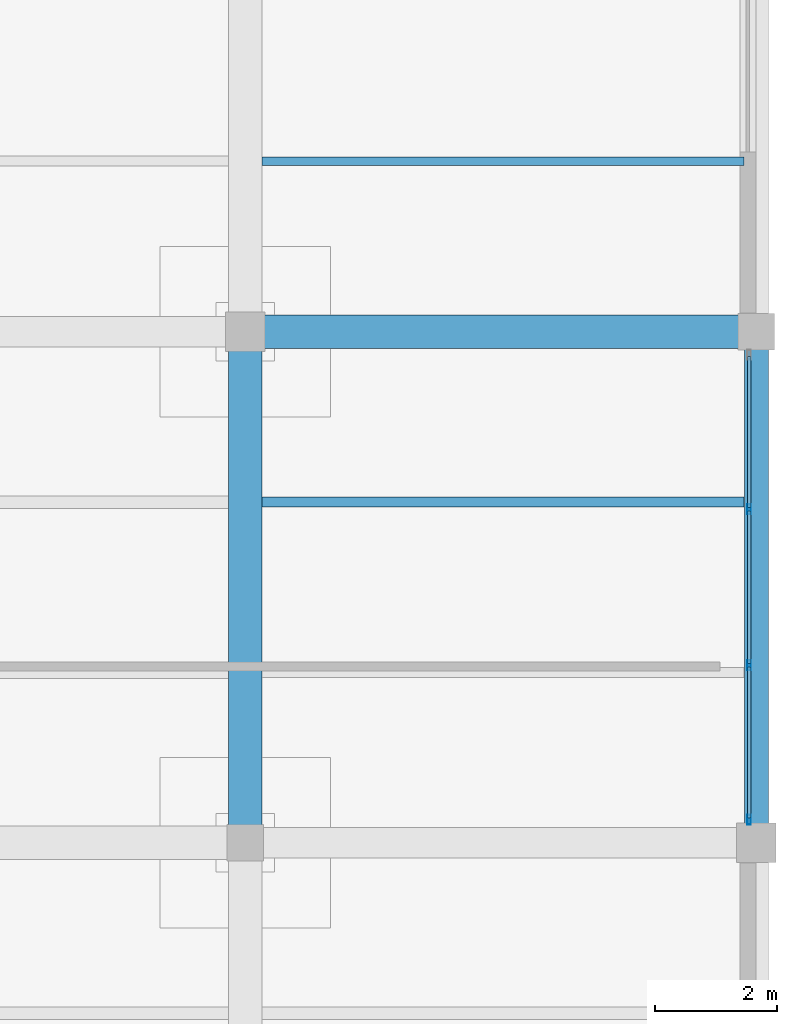
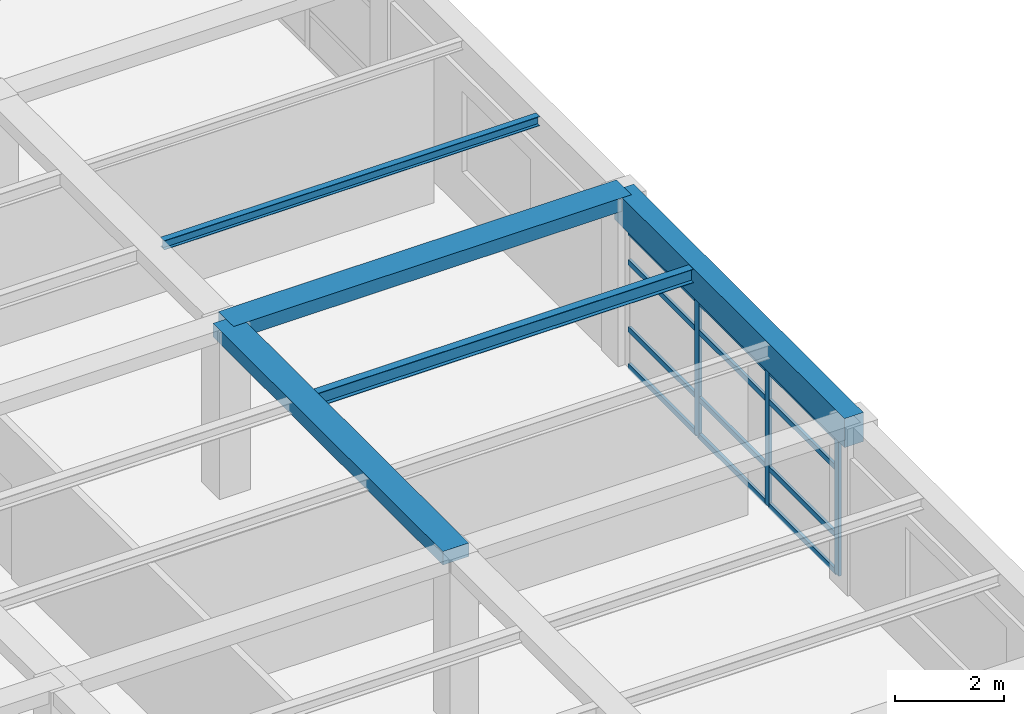
# One storey, part 14 of 26: 15 members, 5 beams, 1 element without a shape of its own.
"""IFC4 building model written with IfcOpenShell, lengths in metres."""

from ifc_helpers import new_model, si_unit, direction, frame, origin, origin_2d, place, context, subcontext, project, spatial, rectangle, hollow_rectangle, i_section, extrude, material, material_profile, profile_set, type_object, element, aggregate, save


model = new_model("IFC4")

# Units and contexts
model_context = context("Model", 3, precision=1e-05, world=origin(), true_north=direction((0.0, 1.0)))
body_context = subcontext(model_context, "Body", "Model", "MODEL_VIEW")
ifc_project = project(units=[si_unit("LENGTHUNIT", "METRE"), si_unit("AREAUNIT", "SQUARE_METRE"), si_unit("VOLUMEUNIT", "CUBIC_METRE"), si_unit("PLANEANGLEUNIT", "RADIAN"), si_unit("MASSUNIT", "GRAM", prefix="KILO")], contexts=[model_context])

# Site, building, storey
site_placement = place(None, origin())
site = spatial("IfcSite", under=ifc_project, at=site_placement, CompositionType="ELEMENT")
building_placement = place(site_placement, origin())
building = spatial("IfcBuilding", under=site, at=building_placement, Name="Almacenes y Pasaje Nevantli", CompositionType="ELEMENT")
storey_placement = place(building_placement, frame((0.0, 0.0, 54.699951171875)))
storey = spatial("IfcBuildingStorey", under=building, at=storey_placement, Name="L13", CompositionType="ELEMENT", Elevation=54.699951171875)

# Beams
ifc_material_1 = material(Name="Concrete C35/45", Category="concrete")
ifc_material_profile_1 = material_profile(ifc_material_1, rectangle(XDim=0.39990234375, YDim=0.64990234375, at=origin_2d()), Name="RC-BM-400x650")
ifc_profile_set_1 = profile_set([ifc_material_profile_1], Name="Concrete C35/45")
beam_type_1 = type_object("IfcBeamType", Name="BM-RC-400x650", PredefinedType="SPANDREL", material=ifc_profile_set_1)
beam_1_placement = place(storey_placement, frame((159.60009765625, 75.60009765625, 3.39501953125), z_axis=(0.0, 1.0, 0.0), x_axis=(-1.0, 0.0, 0.0)))
element("IfcBeam", 1, at=beam_1_placement, inside=storey, type_object=beam_type_1, Name="L13 North-South Reinforced Concrete Beam #3982", PredefinedType="SPANDREL", context=body_context, shape_type="SweptSolid", body=[
    extrude(rectangle(XDim=0.39990234375, YDim=0.64990234375, at=origin_2d()), origin(), (0.0, 0.0, 1.0), 8.39990234375),
])
ifc_material_2 = material(Name="Concrete C35/45", Category="concrete")
ifc_material_profile_2 = material_profile(ifc_material_2, rectangle(XDim=0.550048828125, YDim=0.300048828125, at=origin_2d()), Name="RC-BM-550x300")
ifc_profile_set_2 = profile_set([ifc_material_profile_2], Name="Concrete C35/45")
beam_type_2 = type_object("IfcBeamType", Name="BM-RC-550x300", PredefinedType="BEAM", material=ifc_profile_set_2)
beam_2_placement = place(storey_placement, frame((151.199951171875, 84.0, 3.570068359375), z_axis=(1.0, 0.0, 0.0), x_axis=(0.0, 1.0, 0.0)))
element("IfcBeam", 2, at=beam_2_placement, inside=storey, type_object=beam_type_2, Name="L13 East-West Reinforced Concrete Beam #3952", PredefinedType="BEAM", context=body_context, shape_type="SweptSolid", body=[
    extrude(rectangle(XDim=0.550048828125, YDim=0.300048828125, at=origin_2d()), origin(), (0.0, 0.0, 1.0), 8.400146484375),
])
beam_3_placement = place(storey_placement, frame((151.199951171875, 75.60009765625, 3.570068359375), z_axis=(0.0, 1.0, 0.0), x_axis=(-1.0, 0.0, 0.0)))
element("IfcBeam", 3, at=beam_3_placement, inside=storey, type_object=beam_type_2, Name="L13 North-South Reinforced Concrete Beam #3978", PredefinedType="BEAM", context=body_context, shape_type="SweptSolid", body=[
    extrude(rectangle(XDim=0.550048828125, YDim=0.300048828125, at=origin_2d()), origin(), (0.0, 0.0, 1.0), 8.39990234375),
])
ifc_material_3 = material(Name="Steel ASTM A992", Category="steel")
ifc_material_profile_3 = material_profile(ifc_material_3, i_section(OverallWidth=0.134033203125, OverallDepth=0.2099609375, WebThickness=0.00634765625, FlangeThickness=0.01025390625, at=origin_2d()), Name="IR 203x31.3")
ifc_profile_set_3 = profile_set([ifc_material_profile_3], Name="Steel ASTM A992")
beam_type_3 = type_object("IfcBeamType", Name="BM-STL-IR-203x31p3", PredefinedType="JOIST", material=ifc_profile_set_3)
beam_4_placement = place(storey_placement, frame((151.47509765625, 86.800048828125, 3.60693359375), z_axis=(1.0, 0.0, 0.0), x_axis=(0.0, 1.0, 0.0)))
element("IfcBeam", 4, at=beam_4_placement, inside=storey, type_object=beam_type_3, Name="L13 Secondary Steel Floor Joist #1589", PredefinedType="JOIST", context=body_context, shape_type="SweptSolid", body=[
    extrude(i_section(OverallWidth=0.134033203125, OverallDepth=0.2099609375, WebThickness=0.00634765625, FlangeThickness=0.01025390625, at=origin_2d()), origin(), (0.0, 0.0, 1.0), 7.9248046875),
])
ifc_material_4 = material(Name="Steel ASTM A992", Category="steel")
ifc_material_profile_4 = material_profile(ifc_material_4, i_section(OverallWidth=0.1650390625, OverallDepth=0.306884765625, WebThickness=0.006591796875, FlangeThickness=0.01025390625, at=origin_2d()), Name="IR 305x44.6")
ifc_profile_set_4 = profile_set([ifc_material_profile_4], Name="Steel ASTM A992")
beam_type_4 = type_object("IfcBeamType", Name="BM-STL-IR-305x44p6", PredefinedType="JOIST", material=ifc_profile_set_4)
beam_5_placement = place(storey_placement, frame((151.47509765625, 81.199951171875, 3.55859375), z_axis=(1.0, 0.0, 0.0), x_axis=(0.0, 1.0, 0.0)))
element("IfcBeam", 5, at=beam_5_placement, inside=storey, type_object=beam_type_4, Name="L13 Secondary Steel Floor Joist #1588", PredefinedType="JOIST", context=body_context, shape_type="SweptSolid", body=[
    extrude(i_section(OverallWidth=0.1650390625, OverallDepth=0.306884765625, WebThickness=0.006591796875, FlangeThickness=0.01025390625, at=origin_2d()), origin(), (0.0, 0.0, 1.0), 7.9248046875),
])

# Curtain wall, members
ifc_material_5 = material(Name="Thermally Broken Aluminium and Low-E Glass", Category="aluminium")
curtain_wall_type = type_object("IfcCurtainWallType", Name="CW-UNIT-TOWER", PredefinedType="USERDEFINED", material=ifc_material_5)
curtain_wall_placement = place(storey_placement, origin())
curtain_wall = element("IfcCurtainWall", 6, at=curtain_wall_placement, inside=storey, type_object=curtain_wall_type, Name="L13 Tower East Curtain Wall Bay 10", ObjectType="UNITIZED CURTAIN WALL", PredefinedType="USERDEFINED")
ifc_material_6 = material(Name="Thermally Broken Anodized Aluminium", Category="aluminium")
ifc_material_profile_5 = material_profile(ifc_material_6, hollow_rectangle(XDim=0.06005859375, YDim=0.159912109375, WallThickness=0.00390625, at=origin_2d()), Name="ALU-MUL-60x160")
ifc_profile_set_5 = profile_set([ifc_material_profile_5], Name="Thermally Broken Anodized Aluminium")
member_type_1 = type_object("IfcMemberType", Name="CW-MUL-180", PredefinedType="MULLION", material=ifc_profile_set_5)
member_1_placement = place(storey_placement, frame((159.47998046875, 75.97998046875, 0.0), z_axis=(0.0, 0.0, 1.0), x_axis=(-1.0, 0.0, 0.0)))
member_1 = element("IfcMember", 7, at=member_1_placement, type_object=member_type_1, Name="CW-L13-174 mullion 1", PredefinedType="MULLION", context=body_context, shape_type="SweptSolid", body=[
    extrude(hollow_rectangle(XDim=0.06005859375, YDim=0.159912109375, WallThickness=0.00390625, at=origin_2d()), origin(), (0.0, 0.0, 1.0), 3.0400390625),
])
member_2_placement = place(storey_placement, frame((159.47998046875, 78.5166015625, 0.0), z_axis=(0.0, 0.0, 1.0), x_axis=(-1.0, 0.0, 0.0)))
member_2 = element("IfcMember", 8, at=member_2_placement, type_object=member_type_1, Name="CW-L13-174 mullion 2", PredefinedType="MULLION", context=body_context, shape_type="SweptSolid", body=[
    extrude(hollow_rectangle(XDim=0.06005859375, YDim=0.159912109375, WallThickness=0.00390625, at=origin_2d()), origin(), (0.0, 0.0, 1.0), 3.0400390625),
])
member_3_placement = place(storey_placement, frame((159.47998046875, 81.083251953125, 0.0), z_axis=(0.0, 0.0, 1.0), x_axis=(-1.0, 0.0, 0.0)))
member_3 = element("IfcMember", 9, at=member_3_placement, type_object=member_type_1, Name="CW-L13-174 mullion 3", PredefinedType="MULLION", context=body_context, shape_type="SweptSolid", body=[
    extrude(hollow_rectangle(XDim=0.06005859375, YDim=0.159912109375, WallThickness=0.00390625, at=origin_2d()), origin(), (0.0, 0.0, 1.0), 3.0400390625),
])
ifc_material_7 = material(Name="Thermally Broken Anodized Aluminium", Category="aluminium")
ifc_material_profile_6 = material_profile(ifc_material_7, hollow_rectangle(XDim=0.06005859375, YDim=0.1201171875, WallThickness=0.00341796875, at=origin_2d()), Name="ALU-TRN-60x120")
ifc_profile_set_6 = profile_set([ifc_material_profile_6], Name="Thermally Broken Anodized Aluminium")
member_type_2 = type_object("IfcMemberType", Name="CW-TRN-130", PredefinedType="USERDEFINED", material=ifc_profile_set_6)
member_4_placement = place(storey_placement, frame((159.47998046875, 76.010009765625, 0.030029296875), z_axis=(0.0, 1.0, 0.0), x_axis=(-1.0, 0.0, 0.0)))
member_4 = element("IfcMember", 10, at=member_4_placement, type_object=member_type_2, Name="CW-L13-174 transom 1.1", ObjectType="TRANSOM", PredefinedType="USERDEFINED", context=body_context, shape_type="SweptSolid", body=[
    extrude(hollow_rectangle(XDim=0.06005859375, YDim=0.1201171875, WallThickness=0.00341796875, at=origin_2d()), origin(), (0.0, 0.0, 1.0), 2.4765625),
])
member_5_placement = place(storey_placement, frame((159.47998046875, 76.010009765625, 0.85009765625), z_axis=(0.0, 1.0, 0.0), x_axis=(-1.0, 0.0, 0.0)))
member_5 = element("IfcMember", 11, at=member_5_placement, type_object=member_type_2, Name="CW-L13-174 transom 1.2", ObjectType="TRANSOM", PredefinedType="USERDEFINED", context=body_context, shape_type="SweptSolid", body=[
    extrude(hollow_rectangle(XDim=0.06005859375, YDim=0.1201171875, WallThickness=0.00341796875, at=origin_2d()), origin(), (0.0, 0.0, 1.0), 2.4765625),
])
member_6_placement = place(storey_placement, frame((159.47998046875, 76.010009765625, 2.35009765625), z_axis=(0.0, 1.0, 0.0), x_axis=(-1.0, 0.0, 0.0)))
member_6 = element("IfcMember", 12, at=member_6_placement, type_object=member_type_2, Name="CW-L13-174 transom 1.3", ObjectType="TRANSOM", PredefinedType="USERDEFINED", context=body_context, shape_type="SweptSolid", body=[
    extrude(hollow_rectangle(XDim=0.06005859375, YDim=0.1201171875, WallThickness=0.00341796875, at=origin_2d()), origin(), (0.0, 0.0, 1.0), 2.4765625),
])
member_7_placement = place(storey_placement, frame((159.47998046875, 76.010009765625, 3.010009765625), z_axis=(0.0, 1.0, 0.0), x_axis=(-1.0, 0.0, 0.0)))
member_7 = element("IfcMember", 13, at=member_7_placement, type_object=member_type_2, Name="CW-L13-174 transom 1.4", ObjectType="TRANSOM", PredefinedType="USERDEFINED", context=body_context, shape_type="SweptSolid", body=[
    extrude(hollow_rectangle(XDim=0.06005859375, YDim=0.1201171875, WallThickness=0.00341796875, at=origin_2d()), origin(), (0.0, 0.0, 1.0), 2.4765625),
])
member_8_placement = place(storey_placement, frame((159.47998046875, 78.546630859375, 0.030029296875), z_axis=(0.0, 1.0, 0.0), x_axis=(-1.0, 0.0, 0.0)))
member_8 = element("IfcMember", 14, at=member_8_placement, type_object=member_type_2, Name="CW-L13-174 transom 2.1", ObjectType="TRANSOM", PredefinedType="USERDEFINED", context=body_context, shape_type="SweptSolid", body=[
    extrude(hollow_rectangle(XDim=0.06005859375, YDim=0.1201171875, WallThickness=0.00341796875, at=origin_2d()), origin(), (0.0, 0.0, 1.0), 2.506591796875),
])
member_9_placement = place(storey_placement, frame((159.47998046875, 78.546630859375, 0.85009765625), z_axis=(0.0, 1.0, 0.0), x_axis=(-1.0, 0.0, 0.0)))
member_9 = element("IfcMember", 15, at=member_9_placement, type_object=member_type_2, Name="CW-L13-174 transom 2.2", ObjectType="TRANSOM", PredefinedType="USERDEFINED", context=body_context, shape_type="SweptSolid", body=[
    extrude(hollow_rectangle(XDim=0.06005859375, YDim=0.1201171875, WallThickness=0.00341796875, at=origin_2d()), origin(), (0.0, 0.0, 1.0), 2.506591796875),
])
member_10_placement = place(storey_placement, frame((159.47998046875, 78.546630859375, 2.35009765625), z_axis=(0.0, 1.0, 0.0), x_axis=(-1.0, 0.0, 0.0)))
member_10 = element("IfcMember", 16, at=member_10_placement, type_object=member_type_2, Name="CW-L13-174 transom 2.3", ObjectType="TRANSOM", PredefinedType="USERDEFINED", context=body_context, shape_type="SweptSolid", body=[
    extrude(hollow_rectangle(XDim=0.06005859375, YDim=0.1201171875, WallThickness=0.00341796875, at=origin_2d()), origin(), (0.0, 0.0, 1.0), 2.506591796875),
])
member_11_placement = place(storey_placement, frame((159.47998046875, 78.546630859375, 3.010009765625), z_axis=(0.0, 1.0, 0.0), x_axis=(-1.0, 0.0, 0.0)))
member_11 = element("IfcMember", 17, at=member_11_placement, type_object=member_type_2, Name="CW-L13-174 transom 2.4", ObjectType="TRANSOM", PredefinedType="USERDEFINED", context=body_context, shape_type="SweptSolid", body=[
    extrude(hollow_rectangle(XDim=0.06005859375, YDim=0.1201171875, WallThickness=0.00341796875, at=origin_2d()), origin(), (0.0, 0.0, 1.0), 2.506591796875),
])
member_12_placement = place(storey_placement, frame((159.47998046875, 81.11328125, 0.030029296875), z_axis=(0.0, 1.0, 0.0), x_axis=(-1.0, 0.0, 0.0)))
member_12 = element("IfcMember", 18, at=member_12_placement, type_object=member_type_2, Name="CW-L13-174 transom 3.1", ObjectType="TRANSOM", PredefinedType="USERDEFINED", context=body_context, shape_type="SweptSolid", body=[
    extrude(hollow_rectangle(XDim=0.06005859375, YDim=0.1201171875, WallThickness=0.00341796875, at=origin_2d()), origin(), (0.0, 0.0, 1.0), 2.476806640625),
])
member_13_placement = place(storey_placement, frame((159.47998046875, 81.11328125, 0.85009765625), z_axis=(0.0, 1.0, 0.0), x_axis=(-1.0, 0.0, 0.0)))
member_13 = element("IfcMember", 19, at=member_13_placement, type_object=member_type_2, Name="CW-L13-174 transom 3.2", ObjectType="TRANSOM", PredefinedType="USERDEFINED", context=body_context, shape_type="SweptSolid", body=[
    extrude(hollow_rectangle(XDim=0.06005859375, YDim=0.1201171875, WallThickness=0.00341796875, at=origin_2d()), origin(), (0.0, 0.0, 1.0), 2.476806640625),
])
member_14_placement = place(storey_placement, frame((159.47998046875, 81.11328125, 2.35009765625), z_axis=(0.0, 1.0, 0.0), x_axis=(-1.0, 0.0, 0.0)))
member_14 = element("IfcMember", 20, at=member_14_placement, type_object=member_type_2, Name="CW-L13-174 transom 3.3", ObjectType="TRANSOM", PredefinedType="USERDEFINED", context=body_context, shape_type="SweptSolid", body=[
    extrude(hollow_rectangle(XDim=0.06005859375, YDim=0.1201171875, WallThickness=0.00341796875, at=origin_2d()), origin(), (0.0, 0.0, 1.0), 2.476806640625),
])
member_15_placement = place(storey_placement, frame((159.47998046875, 81.11328125, 3.010009765625), z_axis=(0.0, 1.0, 0.0), x_axis=(-1.0, 0.0, 0.0)))
member_15 = element("IfcMember", 21, at=member_15_placement, type_object=member_type_2, Name="CW-L13-174 transom 3.4", ObjectType="TRANSOM", PredefinedType="USERDEFINED", context=body_context, shape_type="SweptSolid", body=[
    extrude(hollow_rectangle(XDim=0.06005859375, YDim=0.1201171875, WallThickness=0.00341796875, at=origin_2d()), origin(), (0.0, 0.0, 1.0), 2.476806640625),
])
aggregate(curtain_wall, [member_1, member_2, member_3, member_4, member_5, member_6, member_7, member_8, member_9, member_10, member_11, member_12, member_13, member_14, member_15])

save(model, "model.ifc")
